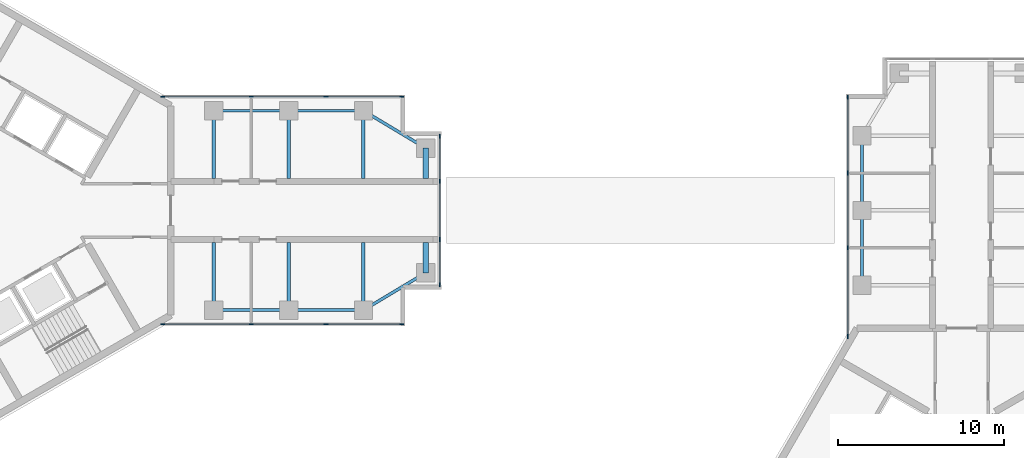
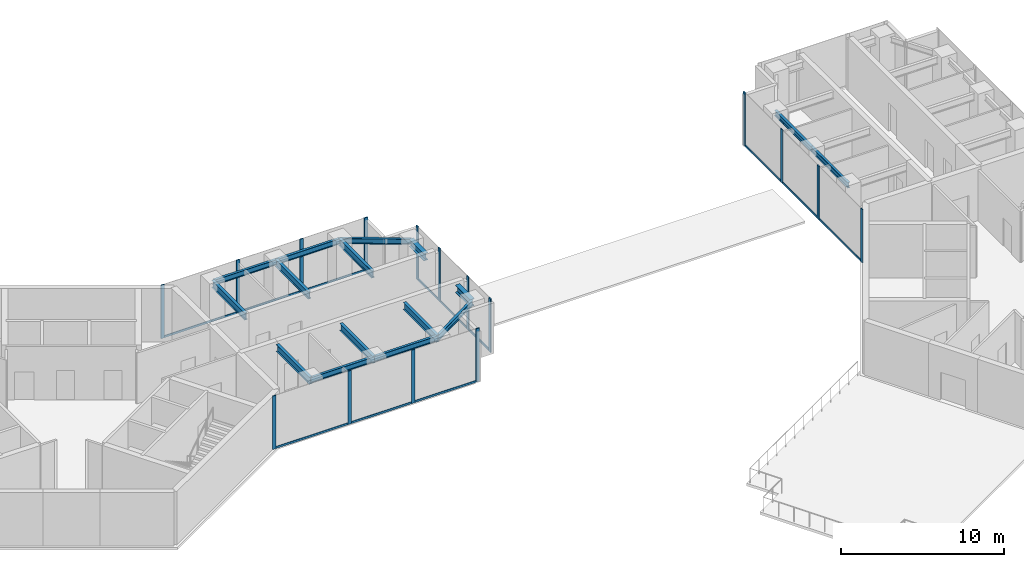
# One storey, part 2 of 11: 28 members, 16 beams, 4 elements without a shape of their own.
"""IFC4 building model written with IfcOpenShell, lengths in metres."""

from ifc_helpers import new_model, si_unit, direction, frame, origin, origin_2d, place, context, subcontext, project, spatial, rectangle, i_section, extrude, material, material_profile, profile_set, type_object, element, aggregate, save


model = new_model("IFC4")

# Units and contexts
model_context = context("Model", 3, precision=1e-05, world=origin(), true_north=direction((0.0, 1.0)))
body_context = subcontext(model_context, "Body", "Model", "MODEL_VIEW")
ifc_project = project(units=[si_unit("LENGTHUNIT", "METRE"), si_unit("AREAUNIT", "SQUARE_METRE"), si_unit("VOLUMEUNIT", "CUBIC_METRE"), si_unit("PLANEANGLEUNIT", "RADIAN"), si_unit("MASSUNIT", "GRAM", prefix="KILO")], contexts=[model_context])

# Site, building, storey
site_placement = place(None, origin())
site = spatial("IfcSite", under=ifc_project, at=site_placement, CompositionType="ELEMENT")
building_placement = place(site_placement, origin())
building = spatial("IfcBuilding", under=site, at=building_placement, Name="Upepo Twin Towers", CompositionType="ELEMENT")
storey_placement = place(building_placement, frame((0.0, 0.0, 243.5)))
storey = spatial("IfcBuildingStorey", under=building, at=storey_placement, Name="L59", CompositionType="ELEMENT", Elevation=243.5)

# Beams
ifc_material_1 = material(Name="Steel S355", Category="steel")
ifc_material_profile_1 = material_profile(ifc_material_1, i_section(OverallWidth=0.177978515625, OverallDepth=0.406494140625, WebThickness=0.0078125, FlangeThickness=0.0126953125, FilletRadius=0.01025390625, at=origin_2d()), Name="UB 406x178x60")
ifc_profile_set_1 = profile_set([ifc_material_profile_1], Name="Steel S355")
beam_type_1 = type_object("IfcBeamType", Name="Beam UB 406x178x60", PredefinedType="BEAM", material=ifc_profile_set_1)
for number, where, z_axis, x_axis, name in (
    (1, (13.5, 6.0, 3.5966796875), (1.0, 0.0, 0.0), (0.0, 1.0, 0.0), "T1 edge beam AL 13.5-18.0"),
    (2, (18.0, 6.0, 3.5966796875), (1.0, 0.0, 0.0), (0.0, 1.0, 0.0), "T1 edge beam AL 18.0-22.5"),
):
    element("IfcBeam", number, at=place(storey_placement, frame(where, z_axis=z_axis, x_axis=x_axis)), inside=storey, type_object=beam_type_1, Name=name, PredefinedType="BEAM", context=body_context, shape_type="SweptSolid", body=[
        extrude(i_section(OverallWidth=0.177978515625, OverallDepth=0.406494140625, WebThickness=0.0078125, FlangeThickness=0.0126953125, FilletRadius=0.01025390625, at=origin_2d()), origin(), (0.0, 0.0, 1.0), 4.5),
    ])
beam_1_placement = place(storey_placement, frame((22.5, 6.0, 3.5966796875), z_axis=(0.857492925713, -0.514495755428, 0.0), x_axis=(0.514495755428, 0.857492925713, 0.0)))
element("IfcBeam", 3, at=beam_1_placement, inside=storey, type_object=beam_type_1, Name="T1 nose edge beam AL", PredefinedType="BEAM", context=body_context, shape_type="SweptSolid", body=[
    extrude(i_section(OverallWidth=0.177978515625, OverallDepth=0.406494140625, WebThickness=0.0078125, FlangeThickness=0.0126953125, FilletRadius=0.01025390625, at=origin_2d()), origin(), (0.0, 0.0, 1.0), 4.373291015625),
])
for number, where, z_axis, x_axis, name in (
    (4, (13.5, -6.0, 3.5966796875), (1.0, 0.0, 0.0), (0.0, 1.0, 0.0), "T1 edge beam AR 13.5-18.0"),
    (5, (18.0, -6.0, 3.5966796875), (1.0, 0.0, 0.0), (0.0, 1.0, 0.0), "T1 edge beam AR 18.0-22.5"),
):
    element("IfcBeam", number, at=place(storey_placement, frame(where, z_axis=z_axis, x_axis=x_axis)), inside=storey, type_object=beam_type_1, Name=name, PredefinedType="BEAM", context=body_context, shape_type="SweptSolid", body=[
        extrude(i_section(OverallWidth=0.177978515625, OverallDepth=0.406494140625, WebThickness=0.0078125, FlangeThickness=0.0126953125, FilletRadius=0.01025390625, at=origin_2d()), origin(), (0.0, 0.0, 1.0), 4.5),
    ])
beam_2_placement = place(storey_placement, frame((22.5, -6.0, 3.5966796875), z_axis=(0.857492925713, 0.514495755428, 0.0), x_axis=(-0.514495755428, 0.857492925713, 0.0)))
element("IfcBeam", 6, at=beam_2_placement, inside=storey, type_object=beam_type_1, Name="T1 nose edge beam AR", PredefinedType="BEAM", context=body_context, shape_type="SweptSolid", body=[
    extrude(i_section(OverallWidth=0.177978515625, OverallDepth=0.406494140625, WebThickness=0.0078125, FlangeThickness=0.0126953125, FilletRadius=0.01025390625, at=origin_2d()), origin(), (0.0, 0.0, 1.0), 4.373291015625),
])
for number, where, z_axis, x_axis, name in (
    (7, (52.5, -4.5, 3.5966796875), (0.0, 1.0, 0.0), (-1.0, 0.0, 0.0), "T2 edge beam AL 13.5-18.0"),
    (8, (52.5, 0.0, 3.5966796875), (0.0, 1.0, 0.0), (-1.0, 0.0, 0.0), "T2 edge beam AL 18.0-22.5"),
):
    element("IfcBeam", number, at=place(storey_placement, frame(where, z_axis=z_axis, x_axis=x_axis)), inside=storey, type_object=beam_type_1, Name=name, PredefinedType="BEAM", context=body_context, shape_type="SweptSolid", body=[
        extrude(i_section(OverallWidth=0.177978515625, OverallDepth=0.406494140625, WebThickness=0.0078125, FlangeThickness=0.0126953125, FilletRadius=0.01025390625, at=origin_2d()), origin(), (0.0, 0.0, 1.0), 4.5),
    ])
ifc_material_2 = material(Name="Steel S355", Category="steel")
ifc_material_profile_2 = material_profile(ifc_material_2, i_section(OverallWidth=0.209228515625, OverallDepth=0.533203125, WebThickness=0.010009765625, FlangeThickness=0.015625, FilletRadius=0.0126953125, at=origin_2d()), Name="UB 533x210x92")
ifc_profile_set_2 = profile_set([ifc_material_profile_2], Name="Steel S355")
beam_type_2 = type_object("IfcBeamType", Name="Beam UB 533x210x92", PredefinedType="BEAM", material=ifc_profile_set_2)
for number, where, z_axis, x_axis, name in (
    (9, (13.5, 6.0, 3.533447265625), (0.0, -1.0, 0.0), (1.0, 0.0, 0.0), "T1 girder AL at 13.5"),
    (10, (18.0, 6.0, 3.533447265625), (0.0, -1.0, 0.0), (1.0, 0.0, 0.0), "T1 girder AL at 18.0"),
    (11, (22.5, 6.0, 3.533447265625), (0.0, -1.0, 0.0), (1.0, 0.0, 0.0), "T1 girder AL at 22.5"),
    (12, (13.5, -6.0, 3.533447265625), (0.0, 1.0, 0.0), (-1.0, 0.0, 0.0), "T1 girder AR at 13.5"),
    (13, (18.0, -6.0, 3.533447265625), (0.0, 1.0, 0.0), (-1.0, 0.0, 0.0), "T1 girder AR at 18.0"),
    (14, (22.5, -6.0, 3.533447265625), (0.0, 1.0, 0.0), (-1.0, 0.0, 0.0), "T1 girder AR at 22.5"),
):
    element("IfcBeam", number, at=place(storey_placement, frame(where, z_axis=z_axis, x_axis=x_axis)), inside=storey, type_object=beam_type_2, Name=name, PredefinedType="BEAM", context=body_context, shape_type="SweptSolid", body=[
        extrude(i_section(OverallWidth=0.209228515625, OverallDepth=0.533203125, WebThickness=0.010009765625, FlangeThickness=0.015625, FilletRadius=0.0126953125, at=origin_2d()), origin(), (0.0, 0.0, 1.0), 4.074951171875),
    ])
ifc_material_3 = material(Name="Steel S355", Category="steel")
ifc_material_profile_3 = material_profile(ifc_material_3, i_section(OverallWidth=0.31201171875, OverallDepth=0.54345703125, WebThickness=0.0126953125, FlangeThickness=0.020263671875, FilletRadius=0.0126953125, at=origin_2d()), Name="UB 533x312x150")
ifc_profile_set_3 = profile_set([ifc_material_profile_3], Name="Steel S355")
beam_type_3 = type_object("IfcBeamType", Name="Beam UB 533x312x150", PredefinedType="BEAM", material=ifc_profile_set_3)
for number, where, z_axis, x_axis, name in (
    (15, (26.25, 3.75, 3.5283203125), (0.0, -1.0, 0.0), (1.0, 0.0, 0.0), "T1 nose beam AL"),
    (16, (26.25, -3.75, 3.5283203125), (0.0, 1.0, 0.0), (-1.0, 0.0, 0.0), "T1 nose beam AR"),
):
    element("IfcBeam", number, at=place(storey_placement, frame(where, z_axis=z_axis, x_axis=x_axis)), inside=storey, type_object=beam_type_3, Name=name, PredefinedType="BEAM", context=body_context, shape_type="SweptSolid", body=[
        extrude(i_section(OverallWidth=0.31201171875, OverallDepth=0.54345703125, WebThickness=0.0126953125, FlangeThickness=0.020263671875, FilletRadius=0.0126953125, at=origin_2d()), origin(), (0.0, 0.0, 1.0), 1.824951171875),
    ])

# Curtain wall, members
ifc_material_4 = material(Name="Aluminium and fritted glass", Category="aluminium")
curtain_wall_type = type_object("IfcCurtainWallType", Name="Tower curtain wall TW4, fritted glass", PredefinedType="NOTDEFINED", material=ifc_material_4)
curtain_wall_1_placement = place(storey_placement, origin())
curtain_wall_1 = element("IfcCurtainWall", 17, at=curtain_wall_1_placement, inside=storey, type_object=curtain_wall_type, Name="T1 L59 wing A flank L curtain wall", PredefinedType="NOTDEFINED")
ifc_material_5 = material(Name="Aluminium mullion", Category="aluminium")
ifc_material_profile_4 = material_profile(ifc_material_5, rectangle(XDim=0.06494140625, YDim=0.25, at=origin_2d()), Name="MULLION 65x250")
ifc_profile_set_4 = profile_set([ifc_material_profile_4], Name="Aluminium mullion")
member_type_1 = type_object("IfcMemberType", Name="Mullion 65x250 TW4", PredefinedType="MULLION", material=ifc_profile_set_4)
member_1_placement = place(storey_placement, frame((10.419677734375, 6.85009765625, 0.0), z_axis=(0.0, 0.0, 1.0), x_axis=(0.0, 1.0, 0.0)))
member_1 = element("IfcMember", 18, at=member_1_placement, type_object=member_type_1, Name="T1 L59 wing A flank L curtain wall mullion 1", PredefinedType="MULLION", context=body_context, shape_type="SweptSolid", body=[
    extrude(rectangle(XDim=0.06494140625, YDim=0.25, at=origin_2d()), origin(), (0.0, 0.0, 1.0), 4.0),
])
member_2_placement = place(storey_placement, frame((15.75, 6.85009765625, 0.0), z_axis=(0.0, 0.0, 1.0), x_axis=(0.0, 1.0, 0.0)))
member_2 = element("IfcMember", 19, at=member_2_placement, type_object=member_type_1, Name="T1 L59 wing A flank L curtain wall mullion 2", PredefinedType="MULLION", context=body_context, shape_type="SweptSolid", body=[
    extrude(rectangle(XDim=0.06494140625, YDim=0.25, at=origin_2d()), origin(), (0.0, 0.0, 1.0), 4.0),
])
member_3_placement = place(storey_placement, frame((20.25, 6.85009765625, 0.0), z_axis=(0.0, 0.0, 1.0), x_axis=(0.0, 1.0, 0.0)))
member_3 = element("IfcMember", 20, at=member_3_placement, type_object=member_type_1, Name="T1 L59 wing A flank L curtain wall mullion 3", PredefinedType="MULLION", context=body_context, shape_type="SweptSolid", body=[
    extrude(rectangle(XDim=0.06494140625, YDim=0.25, at=origin_2d()), origin(), (0.0, 0.0, 1.0), 4.0),
])
member_4_placement = place(storey_placement, frame((24.8173828125, 6.85009765625, 0.0), z_axis=(0.0, 0.0, 1.0), x_axis=(0.0, 1.0, 0.0)))
member_4 = element("IfcMember", 21, at=member_4_placement, type_object=member_type_1, Name="T1 L59 wing A flank L curtain wall mullion 4", PredefinedType="MULLION", context=body_context, shape_type="SweptSolid", body=[
    extrude(rectangle(XDim=0.06494140625, YDim=0.25, at=origin_2d()), origin(), (0.0, 0.0, 1.0), 4.0),
])

curtain_wall_2_placement = place(storey_placement, origin())
curtain_wall_2 = element("IfcCurtainWall", 22, at=curtain_wall_2_placement, inside=storey, type_object=curtain_wall_type, Name="T1 L59 wing A flank R curtain wall", PredefinedType="NOTDEFINED")
member_5_placement = place(storey_placement, frame((24.8173828125, -6.85009765625, 0.0), z_axis=(0.0, 0.0, 1.0), x_axis=(0.0, -1.0, 0.0)))
member_5 = element("IfcMember", 23, at=member_5_placement, type_object=member_type_1, Name="T1 L59 wing A flank R curtain wall mullion 1", PredefinedType="MULLION", context=body_context, shape_type="SweptSolid", body=[
    extrude(rectangle(XDim=0.06494140625, YDim=0.25, at=origin_2d()), origin(), (0.0, 0.0, 1.0), 4.0),
])
member_6_placement = place(storey_placement, frame((20.25, -6.85009765625, 0.0), z_axis=(0.0, 0.0, 1.0), x_axis=(0.0, -1.0, 0.0)))
member_6 = element("IfcMember", 24, at=member_6_placement, type_object=member_type_1, Name="T1 L59 wing A flank R curtain wall mullion 2", PredefinedType="MULLION", context=body_context, shape_type="SweptSolid", body=[
    extrude(rectangle(XDim=0.06494140625, YDim=0.25, at=origin_2d()), origin(), (0.0, 0.0, 1.0), 4.0),
])
member_7_placement = place(storey_placement, frame((15.75, -6.85009765625, 0.0), z_axis=(0.0, 0.0, 1.0), x_axis=(0.0, -1.0, 0.0)))
member_7 = element("IfcMember", 25, at=member_7_placement, type_object=member_type_1, Name="T1 L59 wing A flank R curtain wall mullion 3", PredefinedType="MULLION", context=body_context, shape_type="SweptSolid", body=[
    extrude(rectangle(XDim=0.06494140625, YDim=0.25, at=origin_2d()), origin(), (0.0, 0.0, 1.0), 4.0),
])
member_8_placement = place(storey_placement, frame((10.419677734375, -6.85009765625, 0.0), z_axis=(0.0, 0.0, 1.0), x_axis=(0.0, -1.0, 0.0)))
member_8 = element("IfcMember", 26, at=member_8_placement, type_object=member_type_1, Name="T1 L59 wing A flank R curtain wall mullion 4", PredefinedType="MULLION", context=body_context, shape_type="SweptSolid", body=[
    extrude(rectangle(XDim=0.06494140625, YDim=0.25, at=origin_2d()), origin(), (0.0, 0.0, 1.0), 4.0),
])

curtain_wall_3_placement = place(storey_placement, origin())
curtain_wall_3 = element("IfcCurtainWall", 27, at=curtain_wall_3_placement, inside=storey, type_object=curtain_wall_type, Name="T1 L59 wing A nose curtain wall", PredefinedType="NOTDEFINED")
member_9_placement = place(storey_placement, frame((27.10009765625, -4.467529296875, 0.0), z_axis=(0.0, 0.0, 1.0), x_axis=(-1.0, 0.0, 0.0)))
member_9 = element("IfcMember", 28, at=member_9_placement, type_object=member_type_1, Name="T1 L59 wing A nose curtain wall mullion 1", PredefinedType="MULLION", context=body_context, shape_type="SweptSolid", body=[
    extrude(rectangle(XDim=0.06494140625, YDim=0.25, at=origin_2d()), origin(), (0.0, 0.0, 1.0), 4.0),
])
member_10_placement = place(storey_placement, frame((27.10009765625, -1.75, 0.0), z_axis=(0.0, 0.0, 1.0), x_axis=(-1.0, 0.0, 0.0)))
member_10 = element("IfcMember", 29, at=member_10_placement, type_object=member_type_1, Name="T1 L59 wing A nose curtain wall mullion 2", PredefinedType="MULLION", context=body_context, shape_type="SweptSolid", body=[
    extrude(rectangle(XDim=0.06494140625, YDim=0.25, at=origin_2d()), origin(), (0.0, 0.0, 1.0), 4.0),
])
member_11_placement = place(storey_placement, frame((27.10009765625, 1.75, 0.0), z_axis=(0.0, 0.0, 1.0), x_axis=(-1.0, 0.0, 0.0)))
member_11 = element("IfcMember", 30, at=member_11_placement, type_object=member_type_1, Name="T1 L59 wing A nose curtain wall mullion 3", PredefinedType="MULLION", context=body_context, shape_type="SweptSolid", body=[
    extrude(rectangle(XDim=0.06494140625, YDim=0.25, at=origin_2d()), origin(), (0.0, 0.0, 1.0), 4.0),
])
member_12_placement = place(storey_placement, frame((27.10009765625, 4.467529296875, 0.0), z_axis=(0.0, 0.0, 1.0), x_axis=(-1.0, 0.0, 0.0)))
member_12 = element("IfcMember", 31, at=member_12_placement, type_object=member_type_1, Name="T1 L59 wing A nose curtain wall mullion 4", PredefinedType="MULLION", context=body_context, shape_type="SweptSolid", body=[
    extrude(rectangle(XDim=0.06494140625, YDim=0.25, at=origin_2d()), origin(), (0.0, 0.0, 1.0), 4.0),
])

curtain_wall_4_placement = place(storey_placement, origin())
curtain_wall_4 = element("IfcCurtainWall", 32, at=curtain_wall_4_placement, inside=storey, type_object=curtain_wall_type, Name="T2 L59 wing A flank L curtain wall", PredefinedType="NOTDEFINED")
member_13_placement = place(storey_placement, frame((51.64990234375, -7.580322265625, 0.0), z_axis=(0.0, 0.0, 1.0), x_axis=(-1.0, 0.0, 0.0)))
member_13 = element("IfcMember", 33, at=member_13_placement, type_object=member_type_1, Name="T2 L59 wing A flank L curtain wall mullion 1", PredefinedType="MULLION", context=body_context, shape_type="SweptSolid", body=[
    extrude(rectangle(XDim=0.06494140625, YDim=0.25, at=origin_2d()), origin(), (0.0, 0.0, 1.0), 4.0),
])
member_14_placement = place(storey_placement, frame((51.64990234375, -2.25, 0.0), z_axis=(0.0, 0.0, 1.0), x_axis=(-1.0, 0.0, 0.0)))
member_14 = element("IfcMember", 34, at=member_14_placement, type_object=member_type_1, Name="T2 L59 wing A flank L curtain wall mullion 2", PredefinedType="MULLION", context=body_context, shape_type="SweptSolid", body=[
    extrude(rectangle(XDim=0.06494140625, YDim=0.25, at=origin_2d()), origin(), (0.0, 0.0, 1.0), 4.0),
])
member_15_placement = place(storey_placement, frame((51.64990234375, 2.25, 0.0), z_axis=(0.0, 0.0, 1.0), x_axis=(-1.0, 0.0, 0.0)))
member_15 = element("IfcMember", 35, at=member_15_placement, type_object=member_type_1, Name="T2 L59 wing A flank L curtain wall mullion 3", PredefinedType="MULLION", context=body_context, shape_type="SweptSolid", body=[
    extrude(rectangle(XDim=0.06494140625, YDim=0.25, at=origin_2d()), origin(), (0.0, 0.0, 1.0), 4.0),
])
member_16_placement = place(storey_placement, frame((51.64990234375, 6.8173828125, 0.0), z_axis=(0.0, 0.0, 1.0), x_axis=(-1.0, 0.0, 0.0)))
member_16 = element("IfcMember", 36, at=member_16_placement, type_object=member_type_1, Name="T2 L59 wing A flank L curtain wall mullion 4", PredefinedType="MULLION", context=body_context, shape_type="SweptSolid", body=[
    extrude(rectangle(XDim=0.06494140625, YDim=0.25, at=origin_2d()), origin(), (0.0, 0.0, 1.0), 4.0),
])

# Member
ifc_material_6 = material(Name="Aluminium transom", Category="aluminium")
ifc_material_profile_5 = material_profile(ifc_material_6, rectangle(XDim=0.06494140625, YDim=0.14990234375, at=origin_2d()), Name="TRANSOM 65x150")
ifc_profile_set_5 = profile_set([ifc_material_profile_5], Name="Aluminium transom")
member_type_2 = type_object("IfcMemberType", Name="Transom 65x150 TW4", PredefinedType="USERDEFINED", material=ifc_profile_set_5)
member_17_placement = place(storey_placement, frame((10.4521484375, 6.85009765625, 0.074951171875), z_axis=(1.0, 0.0, 0.0), x_axis=(0.0, 1.0, 0.0)))
member_17 = element("IfcMember", 37, at=member_17_placement, type_object=member_type_2, Name="T1 L59 wing A flank L curtain wall transom 1", ObjectType="TRANSOM", PredefinedType="USERDEFINED", context=body_context, shape_type="SweptSolid", body=[
    extrude(rectangle(XDim=0.06494140625, YDim=0.14990234375, at=origin_2d()), origin(), (0.0, 0.0, 1.0), 5.265380859375),
])

member_18_placement = place(storey_placement, frame((15.782470703125, 6.85009765625, 0.074951171875), z_axis=(1.0, 0.0, 0.0), x_axis=(0.0, 1.0, 0.0)))
member_18 = element("IfcMember", 38, at=member_18_placement, type_object=member_type_2, Name="T1 L59 wing A flank L curtain wall transom 2", ObjectType="TRANSOM", PredefinedType="USERDEFINED", context=body_context, shape_type="SweptSolid", body=[
    extrude(rectangle(XDim=0.06494140625, YDim=0.14990234375, at=origin_2d()), origin(), (0.0, 0.0, 1.0), 4.43505859375),
])

member_19_placement = place(storey_placement, frame((20.282470703125, 6.85009765625, 0.074951171875), z_axis=(1.0, 0.0, 0.0), x_axis=(0.0, 1.0, 0.0)))
member_19 = element("IfcMember", 39, at=member_19_placement, type_object=member_type_2, Name="T1 L59 wing A flank L curtain wall transom 3", ObjectType="TRANSOM", PredefinedType="USERDEFINED", context=body_context, shape_type="SweptSolid", body=[
    extrude(rectangle(XDim=0.06494140625, YDim=0.14990234375, at=origin_2d()), origin(), (0.0, 0.0, 1.0), 4.50244140625),
])

aggregate(curtain_wall_1, [member_1, member_2, member_3, member_4, member_17, member_18, member_19])

member_20_placement = place(storey_placement, frame((24.784912109375, -6.85009765625, 0.074951171875), z_axis=(-1.0, 0.0, 0.0), x_axis=(0.0, -1.0, 0.0)))
member_20 = element("IfcMember", 40, at=member_20_placement, type_object=member_type_2, Name="T1 L59 wing A flank R curtain wall transom 1", ObjectType="TRANSOM", PredefinedType="USERDEFINED", context=body_context, shape_type="SweptSolid", body=[
    extrude(rectangle(XDim=0.06494140625, YDim=0.14990234375, at=origin_2d()), origin(), (0.0, 0.0, 1.0), 4.50244140625),
])

member_21_placement = place(storey_placement, frame((20.217529296875, -6.85009765625, 0.074951171875), z_axis=(-1.0, 0.0, 0.0), x_axis=(0.0, -1.0, 0.0)))
member_21 = element("IfcMember", 41, at=member_21_placement, type_object=member_type_2, Name="T1 L59 wing A flank R curtain wall transom 2", ObjectType="TRANSOM", PredefinedType="USERDEFINED", context=body_context, shape_type="SweptSolid", body=[
    extrude(rectangle(XDim=0.06494140625, YDim=0.14990234375, at=origin_2d()), origin(), (0.0, 0.0, 1.0), 4.43505859375),
])

member_22_placement = place(storey_placement, frame((15.717529296875, -6.85009765625, 0.074951171875), z_axis=(-1.0, 0.0, 0.0), x_axis=(0.0, -1.0, 0.0)))
member_22 = element("IfcMember", 42, at=member_22_placement, type_object=member_type_2, Name="T1 L59 wing A flank R curtain wall transom 3", ObjectType="TRANSOM", PredefinedType="USERDEFINED", context=body_context, shape_type="SweptSolid", body=[
    extrude(rectangle(XDim=0.06494140625, YDim=0.14990234375, at=origin_2d()), origin(), (0.0, 0.0, 1.0), 5.265380859375),
])

aggregate(curtain_wall_2, [member_5, member_6, member_7, member_8, member_20, member_21, member_22])

member_23_placement = place(storey_placement, frame((27.10009765625, -4.43505859375, 0.074951171875), z_axis=(0.0, 1.0, 0.0), x_axis=(-1.0, 0.0, 0.0)))
member_23 = element("IfcMember", 43, at=member_23_placement, type_object=member_type_2, Name="T1 L59 wing A nose curtain wall transom 1", ObjectType="TRANSOM", PredefinedType="USERDEFINED", context=body_context, shape_type="SweptSolid", body=[
    extrude(rectangle(XDim=0.06494140625, YDim=0.14990234375, at=origin_2d()), origin(), (0.0, 0.0, 1.0), 2.652587890625),
])

member_24_placement = place(storey_placement, frame((27.10009765625, -1.717529296875, 0.074951171875), z_axis=(0.0, 1.0, 0.0), x_axis=(-1.0, 0.0, 0.0)))
member_24 = element("IfcMember", 44, at=member_24_placement, type_object=member_type_2, Name="T1 L59 wing A nose curtain wall transom 2", ObjectType="TRANSOM", PredefinedType="USERDEFINED", context=body_context, shape_type="SweptSolid", body=[
    extrude(rectangle(XDim=0.06494140625, YDim=0.14990234375, at=origin_2d()), origin(), (0.0, 0.0, 1.0), 3.43505859375),
])

member_25_placement = place(storey_placement, frame((27.10009765625, 1.782470703125, 0.074951171875), z_axis=(0.0, 1.0, 0.0), x_axis=(-1.0, 0.0, 0.0)))
member_25 = element("IfcMember", 45, at=member_25_placement, type_object=member_type_2, Name="T1 L59 wing A nose curtain wall transom 3", ObjectType="TRANSOM", PredefinedType="USERDEFINED", context=body_context, shape_type="SweptSolid", body=[
    extrude(rectangle(XDim=0.06494140625, YDim=0.14990234375, at=origin_2d()), origin(), (0.0, 0.0, 1.0), 2.652587890625),
])

aggregate(curtain_wall_3, [member_9, member_10, member_11, member_12, member_23, member_24, member_25])

member_26_placement = place(storey_placement, frame((51.64990234375, -7.5478515625, 0.074951171875), z_axis=(0.0, 1.0, 0.0), x_axis=(-1.0, 0.0, 0.0)))
member_26 = element("IfcMember", 46, at=member_26_placement, type_object=member_type_2, Name="T2 L59 wing A flank L curtain wall transom 1", ObjectType="TRANSOM", PredefinedType="USERDEFINED", context=body_context, shape_type="SweptSolid", body=[
    extrude(rectangle(XDim=0.06494140625, YDim=0.14990234375, at=origin_2d()), origin(), (0.0, 0.0, 1.0), 5.265380859375),
])

member_27_placement = place(storey_placement, frame((51.64990234375, -2.217529296875, 0.074951171875), z_axis=(0.0, 1.0, 0.0), x_axis=(-1.0, 0.0, 0.0)))
member_27 = element("IfcMember", 47, at=member_27_placement, type_object=member_type_2, Name="T2 L59 wing A flank L curtain wall transom 2", ObjectType="TRANSOM", PredefinedType="USERDEFINED", context=body_context, shape_type="SweptSolid", body=[
    extrude(rectangle(XDim=0.06494140625, YDim=0.14990234375, at=origin_2d()), origin(), (0.0, 0.0, 1.0), 4.43505859375),
])

member_28_placement = place(storey_placement, frame((51.64990234375, 2.282470703125, 0.074951171875), z_axis=(0.0, 1.0, 0.0), x_axis=(-1.0, 0.0, 0.0)))
member_28 = element("IfcMember", 48, at=member_28_placement, type_object=member_type_2, Name="T2 L59 wing A flank L curtain wall transom 3", ObjectType="TRANSOM", PredefinedType="USERDEFINED", context=body_context, shape_type="SweptSolid", body=[
    extrude(rectangle(XDim=0.06494140625, YDim=0.14990234375, at=origin_2d()), origin(), (0.0, 0.0, 1.0), 4.50244140625),
])

aggregate(curtain_wall_4, [member_13, member_14, member_15, member_16, member_26, member_27, member_28])

save(model, "model.ifc")
